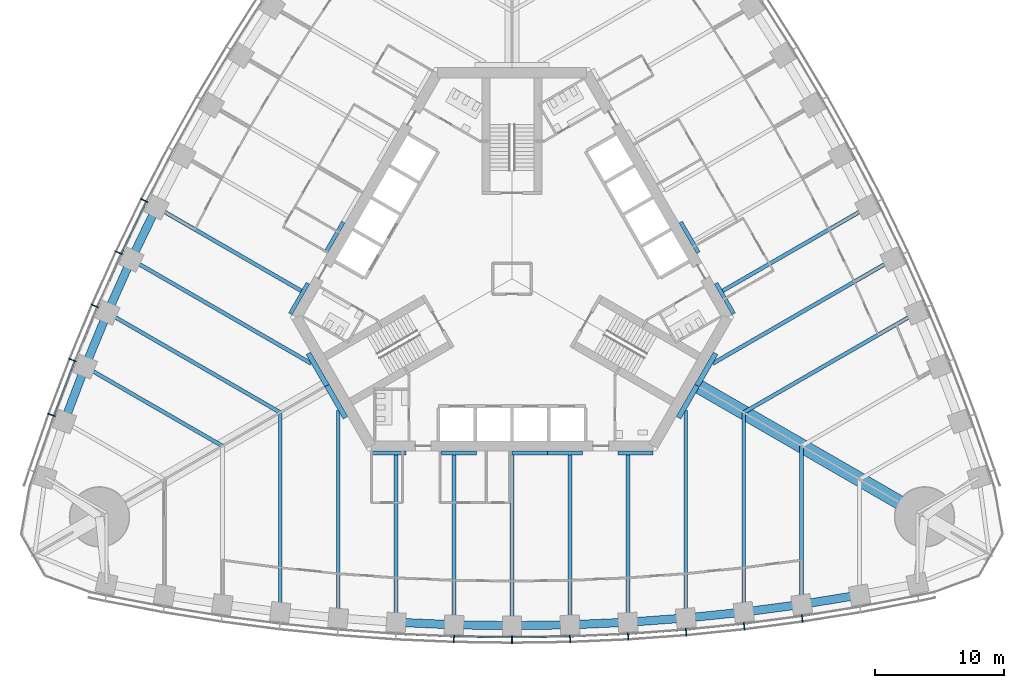
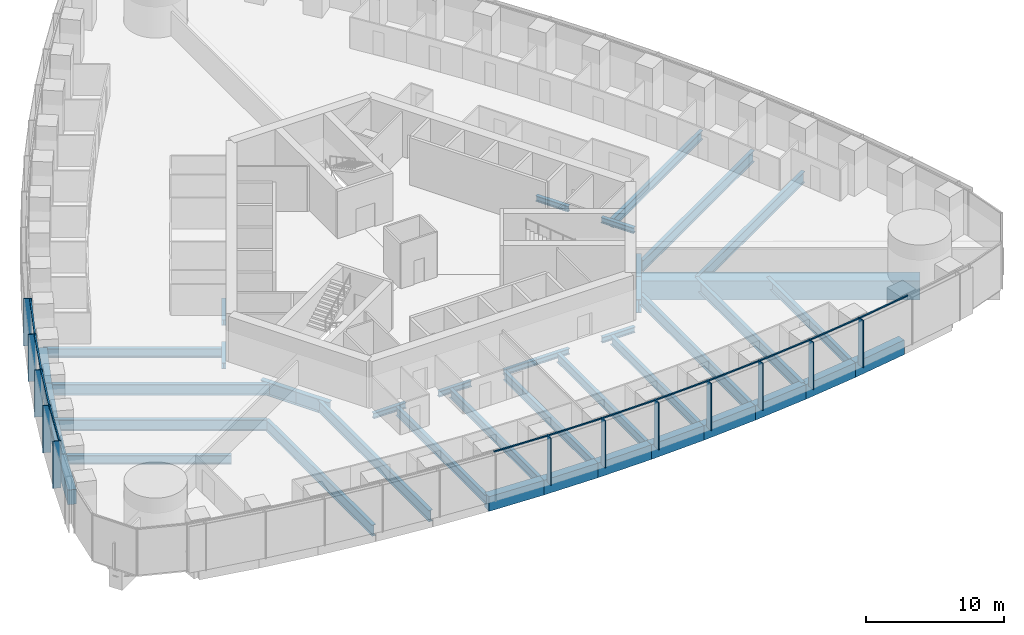
# One storey, part 3 of 19: 43 beams, 24 members, 2 elements without a shape of their own.
"""IFC4 building model written with IfcOpenShell, lengths in metres."""

from ifc_helpers import new_model, si_unit, direction, frame, origin, origin_2d, place, context, subcontext, project, spatial, rectangle, i_section, extrude, material, material_profile, profile_set, type_object, element, aggregate, save


model = new_model("IFC4")

# Units and contexts
model_context = context("Model", 3, precision=1e-05, world=origin(), true_north=direction((0.0, 1.0)))
body_context = subcontext(model_context, "Body", "Model", "MODEL_VIEW")
ifc_project = project(units=[si_unit("LENGTHUNIT", "METRE"), si_unit("AREAUNIT", "SQUARE_METRE"), si_unit("VOLUMEUNIT", "CUBIC_METRE"), si_unit("PLANEANGLEUNIT", "RADIAN"), si_unit("MASSUNIT", "GRAM", prefix="KILO")], contexts=[model_context])

# Site, building, storey
site_placement = place(None, origin())
site = spatial("IfcSite", under=ifc_project, at=site_placement, CompositionType="ELEMENT")
building_placement = place(site_placement, origin())
building = spatial("IfcBuilding", under=site, at=building_placement, Name="Trefoil Bronze Tower", CompositionType="ELEMENT")
storey_placement = place(building_placement, frame((0.0, 0.0, 16.5)))
storey = spatial("IfcBuildingStorey", under=building, at=storey_placement, Name="L03", CompositionType="ELEMENT", Elevation=16.5)

# Curtain wall, members
ifc_material_1 = material(Name="Tinted solar-control glass", Category="glass")
curtain_wall_type = type_object("IfcCurtainWallType", Name="Bronze office curtain wall", PredefinedType="USERDEFINED", material=ifc_material_1)
curtain_wall_1_placement = place(storey_placement, origin())
curtain_wall_1 = element("IfcCurtainWall", 1, at=curtain_wall_1_placement, inside=storey, type_object=curtain_wall_type, Name="CW-A L03 F1", ObjectType="CURTAIN WALL", PredefinedType="USERDEFINED")
ifc_material_2 = material(Name="Bronze-finish aluminium", Category="aluminium")
ifc_material_profile_1 = material_profile(ifc_material_2, rectangle(XDim=0.60009765625, YDim=0.080078125, at=origin_2d()), Name="CW-A mullion")
ifc_profile_set_1 = profile_set([ifc_material_profile_1], Name="Bronze-finish aluminium")
member_type_1 = type_object("IfcMemberType", Name="Bronze office curtain wall mullion", PredefinedType="MULLION", material=ifc_profile_set_1)
member_1_placement = place(storey_placement, frame((-4.5087890625, -27.9833984375, 0.0), z_axis=(0.0, 0.0, 1.0), x_axis=(0.029021671584, 0.999578782577, 0.0)))
member_1 = element("IfcMember", 2, at=member_1_placement, type_object=member_type_1, Name="CW-A L03 F1 mullion 8", PredefinedType="MULLION", context=body_context, shape_type="SweptSolid", body=[
    extrude(rectangle(XDim=0.60009765625, YDim=0.080078125, at=origin_2d()), origin(), (0.0, 0.0, 1.0), 4.179931640625),
])
member_2_placement = place(storey_placement, frame((0.0, -28.048828125, 0.0), z_axis=(0.0, 0.0, 1.0), x_axis=(0.0, 1.0, 0.0)))
member_2 = element("IfcMember", 3, at=member_2_placement, type_object=member_type_1, Name="CW-A L03 F1 mullion 9", PredefinedType="MULLION", context=body_context, shape_type="SweptSolid", body=[
    extrude(rectangle(XDim=0.60009765625, YDim=0.080078125, at=origin_2d()), origin(), (0.0, 0.0, 1.0), 4.179931640625),
])
member_3_placement = place(storey_placement, frame((4.5087890625, -27.9833984375, 0.0), z_axis=(0.0, 0.0, 1.0), x_axis=(-0.029021671584, 0.999578782577, 0.0)))
member_3 = element("IfcMember", 4, at=member_3_placement, type_object=member_type_1, Name="CW-A L03 F1 mullion 10", PredefinedType="MULLION", context=body_context, shape_type="SweptSolid", body=[
    extrude(rectangle(XDim=0.60009765625, YDim=0.080078125, at=origin_2d()), origin(), (0.0, 0.0, 1.0), 4.179931640625),
])
member_4_placement = place(storey_placement, frame((9.017333984375, -27.786865234375, 0.0), z_axis=(0.0, 0.0, 1.0), x_axis=(-0.058043374207, 0.998314062162, 0.0)))
member_4 = element("IfcMember", 5, at=member_4_placement, type_object=member_type_1, Name="CW-A L03 F1 mullion 11", PredefinedType="MULLION", context=body_context, shape_type="SweptSolid", body=[
    extrude(rectangle(XDim=0.60009765625, YDim=0.080078125, at=origin_2d()), origin(), (0.0, 0.0, 1.0), 4.179931640625),
])
member_5_placement = place(storey_placement, frame((13.526123046875, -27.458984375, 0.0), z_axis=(0.0, 0.0, 1.0), x_axis=(-0.087065139456, 0.996202620701, 0.0)))
member_5 = element("IfcMember", 6, at=member_5_placement, type_object=member_type_1, Name="CW-A L03 F1 mullion 12", PredefinedType="MULLION", context=body_context, shape_type="SweptSolid", body=[
    extrude(rectangle(XDim=0.60009765625, YDim=0.080078125, at=origin_2d()), origin(), (0.0, 0.0, 1.0), 4.179931640625),
])
member_6_placement = place(storey_placement, frame((18.034912109375, -26.99853515625, 0.0), z_axis=(0.0, 0.0, 1.0), x_axis=(-0.116086999973, 0.993239048989, 0.0)))
member_6 = element("IfcMember", 7, at=member_6_placement, type_object=member_type_1, Name="CW-A L03 F1 mullion 13", PredefinedType="MULLION", context=body_context, shape_type="SweptSolid", body=[
    extrude(rectangle(XDim=0.60009765625, YDim=0.080078125, at=origin_2d()), origin(), (0.0, 0.0, 1.0), 4.179931640625),
])
member_7_placement = place(storey_placement, frame((22.54345703125, -26.40478515625, 0.0), z_axis=(0.0, 0.0, 1.0), x_axis=(-0.145108990094, 0.989415676546, 0.0)))
member_7 = element("IfcMember", 8, at=member_7_placement, type_object=member_type_1, Name="CW-A L03 F1 mullion 14", PredefinedType="MULLION", context=body_context, shape_type="SweptSolid", body=[
    extrude(rectangle(XDim=0.60009765625, YDim=0.080078125, at=origin_2d()), origin(), (0.0, 0.0, 1.0), 4.179931640625),
])

curtain_wall_2_placement = place(storey_placement, origin())
curtain_wall_2 = element("IfcCurtainWall", 9, at=curtain_wall_2_placement, inside=storey, type_object=curtain_wall_type, Name="CW-A L03 F3", ObjectType="CURTAIN WALL", PredefinedType="USERDEFINED")
member_8_placement = place(storey_placement, frame((-28.57275390625, 6.084228515625, 0.0), z_axis=(0.0, 0.0, 1.0), x_axis=(0.893587025891, -0.448889994497, 0.0)))
member_8 = element("IfcMember", 10, at=member_8_placement, type_object=member_type_1, Name="CW-A L03 F3 mullion 11", PredefinedType="MULLION", context=body_context, shape_type="SweptSolid", body=[
    extrude(rectangle(XDim=0.60009765625, YDim=0.080078125, at=origin_2d()), origin(), (0.0, 0.0, 1.0), 4.179931640625),
])
member_9_placement = place(storey_placement, frame((-30.543212890625, 2.015380859375, 0.0), z_axis=(0.0, 0.0, 1.0), x_axis=(0.906269346572, -0.422700687798, 0.0)))
member_9 = element("IfcMember", 11, at=member_9_placement, type_object=member_type_1, Name="CW-A L03 F3 mullion 12", PredefinedType="MULLION", context=body_context, shape_type="SweptSolid", body=[
    extrude(rectangle(XDim=0.60009765625, YDim=0.080078125, at=origin_2d()), origin(), (0.0, 0.0, 1.0), 4.179931640625),
])
member_10_placement = place(storey_placement, frame((-32.39892578125, -2.119384765625, 0.0), z_axis=(0.0, 0.0, 1.0), x_axis=(0.918213748442, -0.396085233469, 0.0)))
member_10 = element("IfcMember", 12, at=member_10_placement, type_object=member_type_1, Name="CW-A L03 F3 mullion 13", PredefinedType="MULLION", context=body_context, shape_type="SweptSolid", body=[
    extrude(rectangle(XDim=0.60009765625, YDim=0.080078125, at=origin_2d()), origin(), (0.0, 0.0, 1.0), 4.179931640625),
])
member_11_placement = place(storey_placement, frame((-34.138916015625, -6.32080078125, 0.0), z_axis=(0.0, 0.0, 1.0), x_axis=(0.929413605838, -0.369039766534, 0.0)))
member_11 = element("IfcMember", 13, at=member_11_placement, type_object=member_type_1, Name="CW-A L03 F3 mullion 14", PredefinedType="MULLION", context=body_context, shape_type="SweptSolid", body=[
    extrude(rectangle(XDim=0.60009765625, YDim=0.080078125, at=origin_2d()), origin(), (0.0, 0.0, 1.0), 4.179931640625),
])
member_12_placement = place(storey_placement, frame((-35.761962890625, -10.590087890625, 0.0), z_axis=(0.0, 0.0, 1.0), x_axis=(0.939860248316, -0.341559238839, 0.0)))
member_12 = element("IfcMember", 14, at=member_12_placement, type_object=member_type_1, Name="CW-A L03 F3 mullion 15", PredefinedType="MULLION", context=body_context, shape_type="SweptSolid", body=[
    extrude(rectangle(XDim=0.60009765625, YDim=0.080078125, at=origin_2d()), origin(), (0.0, 0.0, 1.0), 4.179931640625),
])

# Member
ifc_material_3 = material(Name="Bronze-finish aluminium", Category="aluminium")
ifc_material_profile_2 = material_profile(ifc_material_3, rectangle(XDim=0.1201171875, YDim=0.10009765625, at=origin_2d()), Name="CW-A transom")
ifc_profile_set_2 = profile_set([ifc_material_profile_2], Name="Bronze-finish aluminium")
member_type_2 = type_object("IfcMemberType", Name="Bronze office curtain wall transom", PredefinedType="USERDEFINED", material=ifc_profile_set_2)
member_13_placement = place(storey_placement, frame((-8.96435546875, -27.589111328125, 4.1298828125), z_axis=(0.999054074786, -0.043485119914, 0.0), x_axis=(0.043485119914, 0.999054074786, 0.0)))
member_13 = element("IfcMember", 15, at=member_13_placement, type_object=member_type_2, Name="CW-A L03 F1 transom 7", ObjectType="TRANSOM", PredefinedType="USERDEFINED", context=body_context, shape_type="SweptSolid", body=[
    extrude(rectangle(XDim=0.1201171875, YDim=0.10009765625, at=origin_2d()), origin(), (0.0, 0.0, 1.0), 4.424072265625),
])

member_14_placement = place(storey_placement, frame((-4.46142578125, -27.783935546875, 4.1298828125), z_axis=(0.999894497273, -0.014525643658, 0.0), x_axis=(0.014525643658, 0.999894497273, 0.0)))
member_14 = element("IfcMember", 16, at=member_14_placement, type_object=member_type_2, Name="CW-A L03 F1 transom 8", ObjectType="TRANSOM", PredefinedType="USERDEFINED", context=body_context, shape_type="SweptSolid", body=[
    extrude(rectangle(XDim=0.1201171875, YDim=0.10009765625, at=origin_2d()), origin(), (0.0, 0.0, 1.0), 4.42041015625),
])

member_15_placement = place(storey_placement, frame((0.04150390625, -27.84814453125, 4.1298828125), z_axis=(0.999894497273, 0.014525643658, 0.0), x_axis=(-0.014525643658, 0.999894497273, 0.0)))
member_15 = element("IfcMember", 17, at=member_15_placement, type_object=member_type_2, Name="CW-A L03 F1 transom 9", ObjectType="TRANSOM", PredefinedType="USERDEFINED", context=body_context, shape_type="SweptSolid", body=[
    extrude(rectangle(XDim=0.1201171875, YDim=0.10009765625, at=origin_2d()), origin(), (0.0, 0.0, 1.0), 4.42041015625),
])

member_16_placement = place(storey_placement, frame((4.54443359375, -27.781494140625, 4.1298828125), z_axis=(0.999054074786, 0.043485119914, 0.0), x_axis=(-0.043485119914, 0.999054074786, 0.0)))
member_16 = element("IfcMember", 18, at=member_16_placement, type_object=member_type_2, Name="CW-A L03 F1 transom 10", ObjectType="TRANSOM", PredefinedType="USERDEFINED", context=body_context, shape_type="SweptSolid", body=[
    extrude(rectangle(XDim=0.1201171875, YDim=0.10009765625, at=origin_2d()), origin(), (0.0, 0.0, 1.0), 4.424072265625),
])

member_17_placement = place(storey_placement, frame((9.047119140625, -27.584228515625, 4.1298828125), z_axis=(0.997364729945, 0.07255064067, 0.0), x_axis=(-0.07255064067, 0.997364729945, 0.0)))
member_17 = element("IfcMember", 19, at=member_17_placement, type_object=member_type_2, Name="CW-A L03 F1 transom 11", ObjectType="TRANSOM", PredefinedType="USERDEFINED", context=body_context, shape_type="SweptSolid", body=[
    extrude(rectangle(XDim=0.1201171875, YDim=0.10009765625, at=origin_2d()), origin(), (0.0, 0.0, 1.0), 4.431884765625),
])

member_18_placement = place(storey_placement, frame((13.550048828125, -27.25537109375, 4.1298828125), z_axis=(0.994831650915, 0.101538102888, 0.0), x_axis=(-0.101538102888, 0.994831650915, 0.0)))
member_18 = element("IfcMember", 20, at=member_18_placement, type_object=member_type_2, Name="CW-A L03 F1 transom 12", ObjectType="TRANSOM", PredefinedType="USERDEFINED", context=body_context, shape_type="SweptSolid", body=[
    extrude(rectangle(XDim=0.1201171875, YDim=0.10009765625, at=origin_2d()), origin(), (0.0, 0.0, 1.0), 4.443359375),
])

member_19_placement = place(storey_placement, frame((18.052734375, -26.79443359375, 4.1298828125), z_axis=(0.991436581643, 0.13058906761, 0.0), x_axis=(-0.13058906761, 0.991436581643, 0.0)))
member_19 = element("IfcMember", 21, at=member_19_placement, type_object=member_type_2, Name="CW-A L03 F1 transom 13", ObjectType="TRANSOM", PredefinedType="USERDEFINED", context=body_context, shape_type="SweptSolid", body=[
    extrude(rectangle(XDim=0.1201171875, YDim=0.10009765625, at=origin_2d()), origin(), (0.0, 0.0, 1.0), 4.458740234375),
])

member_20_placement = place(storey_placement, frame((22.555419921875, -26.2001953125, 4.1298828125), z_axis=(0.987179401487, 0.159614627398, 0.0), x_axis=(-0.159614627398, 0.987179401487, 0.0)))
member_20 = element("IfcMember", 22, at=member_20_placement, type_object=member_type_2, Name="CW-A L03 F1 transom 14", ObjectType="TRANSOM", PredefinedType="USERDEFINED", context=body_context, shape_type="SweptSolid", body=[
    extrude(rectangle(XDim=0.1201171875, YDim=0.10009765625, at=origin_2d()), origin(), (0.0, 0.0, 1.0), 4.478515625),
])

aggregate(curtain_wall_1, [member_1, member_2, member_3, member_4, member_5, member_6, member_7, member_13, member_14, member_15, member_16, member_17, member_18, member_19, member_20])

member_21_placement = place(storey_placement, frame((-28.412109375, 5.95703125, 4.1298828125), z_axis=(-0.435851763293, -0.900018466719, 0.0), x_axis=(0.900018466719, -0.435851763293, 0.0)))
member_21 = element("IfcMember", 23, at=member_21_placement, type_object=member_type_2, Name="CW-A L03 F3 transom 11", ObjectType="TRANSOM", PredefinedType="USERDEFINED", context=body_context, shape_type="SweptSolid", body=[
    extrude(rectangle(XDim=0.1201171875, YDim=0.10009765625, at=origin_2d()), origin(), (0.0, 0.0, 1.0), 4.431884765625),
])

member_22_placement = place(storey_placement, frame((-30.37890625, 1.89306640625, 4.1298828125), z_axis=(-0.409459746452, -0.912328184392, 0.0), x_axis=(0.912328184392, -0.409459746452, 0.0)))
member_22 = element("IfcMember", 24, at=member_22_placement, type_object=member_type_2, Name="CW-A L03 F3 transom 12", ObjectType="TRANSOM", PredefinedType="USERDEFINED", context=body_context, shape_type="SweptSolid", body=[
    extrude(rectangle(XDim=0.1201171875, YDim=0.10009765625, at=origin_2d()), origin(), (0.0, 0.0, 1.0), 4.443359375),
])

member_23_placement = place(storey_placement, frame((-32.231201171875, -2.23681640625, 4.1298828125), z_axis=(-0.382616149417, -0.923907399151, 0.0), x_axis=(0.923907399151, -0.382616149417, 0.0)))
member_23 = element("IfcMember", 25, at=member_23_placement, type_object=member_type_2, Name="CW-A L03 F3 transom 13", ObjectType="TRANSOM", PredefinedType="USERDEFINED", context=body_context, shape_type="SweptSolid", body=[
    extrude(rectangle(XDim=0.1201171875, YDim=0.10009765625, at=origin_2d()), origin(), (0.0, 0.0, 1.0), 4.458984375),
])

member_24_placement = place(storey_placement, frame((-33.9677734375, -6.433349609375, 4.1298828125), z_axis=(-0.355367327392, -0.934726731522, 0.0), x_axis=(0.934726731522, -0.355367327392, 0.0)))
member_24 = element("IfcMember", 26, at=member_24_placement, type_object=member_type_2, Name="CW-A L03 F3 transom 14", ObjectType="TRANSOM", PredefinedType="USERDEFINED", context=body_context, shape_type="SweptSolid", body=[
    extrude(rectangle(XDim=0.1201171875, YDim=0.10009765625, at=origin_2d()), origin(), (0.0, 0.0, 1.0), 4.478515625),
])

aggregate(curtain_wall_2, [member_8, member_9, member_10, member_11, member_12, member_21, member_22, member_23, member_24])

# Beams
ifc_material_4 = material(Name="Steel C355", Category="steel")
ifc_material_profile_3 = material_profile(ifc_material_4, i_section(OverallWidth=0.300048828125, OverallDepth=0.5, WebThickness=0.014404296875, FlangeThickness=0.028076171875, FilletRadius=0.027099609375, at=origin_2d()), Name="HEB 500")
ifc_profile_set_3 = profile_set([ifc_material_profile_3], Name="Steel C355")
beam_type_1 = type_object("IfcBeamType", Name="Core seat beam HEB 500", PredefinedType="BEAM", material=ifc_profile_set_3)
for number, where, z_axis, x_axis, name in (
    (27, (-10.9697265625, -13.550048828125, -0.449951171875), (1.0, 0.0, 0.0), (0.0, 1.0, 0.0), "Core seat beam F1/-2 L03"),
    (28, (-5.48486328125, -13.550048828125, -0.449951171875), (1.0, 0.0, 0.0), (0.0, 1.0, 0.0), "Core seat beam F1/-1 L03"),
    (29, (0.0, -13.550048828125, -0.449951171875), (1.0, 0.0, 0.0), (0.0, 1.0, 0.0), "Core seat beam F1/+0 L03"),
    (30, (2.742431640625, -13.550048828125, -0.449951171875), (1.0, 0.0, 0.0), (0.0, 1.0, 0.0), "Core seat beam F1/+1 L03"),
    (31, (8.227294921875, -13.550048828125, -0.449951171875), (1.0, 0.0, 0.0), (0.0, 1.0, 0.0), "Core seat beam F1/+2 L03"),
    (32, (17.219482421875, -2.72509765625, -0.449951171875), (-0.500035825175, 0.866004719122, 0.0), (-0.866004719122, -0.500035825175, 0.0), "Core seat beam F2/-2 L03"),
    (33, (14.47705078125, 2.02490234375, -0.449951171875), (-0.499969057507, 0.866043267704, 0.0), (-0.866043267704, -0.499969057507, 0.0), "Core seat beam F2/-1 L03"),
    (34, (-13.10595703125, 4.39990234375, -0.449951171875), (-0.499969057507, -0.866043267704, 0.0), (0.866043267704, -0.499969057507, 0.0), "Core seat beam F3/+1 L03"),
    (35, (-15.84814453125, -0.35009765625, -0.449951171875), (-0.500035825175, -0.866004719122, 0.0), (0.866004719122, -0.500035825175, 0.0), "Core seat beam F3/+2 L03"),
):
    element("IfcBeam", number, at=place(storey_placement, frame(where, z_axis=z_axis, x_axis=x_axis)), inside=storey, type_object=beam_type_1, Name=name, PredefinedType="BEAM", context=body_context, shape_type="SweptSolid", body=[
        extrude(i_section(OverallWidth=0.300048828125, OverallDepth=0.5, WebThickness=0.014404296875, FlangeThickness=0.028076171875, FilletRadius=0.027099609375, at=origin_2d()), origin(), (0.0, 0.0, 1.0), 2.742431640625),
    ])
ifc_material_5 = material(Name="Steel C355", Category="steel")
ifc_material_profile_4 = material_profile(ifc_material_5, i_section(OverallWidth=0.39990234375, OverallDepth=1.199951171875, WebThickness=0.02001953125, FlangeThickness=0.0400390625, FilletRadius=0.010009765625, at=origin_2d()), Name="WPG 1200")
ifc_profile_set_4 = profile_set([ifc_material_profile_4], Name="Steel C355")
beam_type_2 = type_object("IfcBeamType", Name="Core seat beam WPG 1200", PredefinedType="BEAM", material=ifc_profile_set_4)
for number, where, z_axis, x_axis, name in (
    (36, (-14.3759765625, -8.300048828125, -0.800048828125), (0.499995765644, -0.866027848477, 0.0), (0.866027848477, 0.499995765644, 0.0), "Core seat beam F1/-3 L03"),
    (37, (12.9326171875, -10.800048828125, -0.800048828125), (0.499995765644, 0.866027848477, 0.0), (-0.866027848477, 0.499995765644, 0.0), "Core seat beam F1/+3 L03"),
    (38, (14.3759765625, -8.300048828125, -0.800048828125), (0.499995765644, 0.866027848477, 0.0), (-0.866027848477, 0.499995765644, 0.0), "Core seat beam F2/-3 L03"),
    (39, (-15.8193359375, -5.800048828125, -0.800048828125), (0.499995765644, -0.866027848477, 0.0), (0.866027848477, 0.499995765644, 0.0), "Core seat beam F3/+3 L03"),
):
    element("IfcBeam", number, at=place(storey_placement, frame(where, z_axis=z_axis, x_axis=x_axis)), inside=storey, type_object=beam_type_2, Name=name, PredefinedType="BEAM", context=body_context, shape_type="SweptSolid", body=[
        extrude(i_section(OverallWidth=0.39990234375, OverallDepth=1.199951171875, WebThickness=0.02001953125, FlangeThickness=0.0400390625, FilletRadius=0.010009765625, at=origin_2d()), origin(), (0.0, 0.0, 1.0), 2.88671875),
    ])
ifc_material_6 = material(Name="Concrete B80", Category="concrete")
ifc_material_profile_5 = material_profile(ifc_material_6, rectangle(XDim=1.10009765625, YDim=1.699951171875, at=origin_2d()), Name="RC 1100x1700")
ifc_profile_set_5 = profile_set([ifc_material_profile_5], Name="Concrete B80")
beam_type_3 = type_object("IfcBeamType", Name="Corner girder RC 1100x1700", PredefinedType="BEAM", material=ifc_profile_set_5)
beam_1_placement = place(storey_placement, frame((14.202880859375, -8.199951171875, -1.050048828125), z_axis=(0.866023947468, -0.500002522405, 0.0), x_axis=(0.500002522405, 0.866023947468, 0.0)))
element("IfcBeam", 40, at=beam_1_placement, inside=storey, type_object=beam_type_3, Name="Corner girder K1 L03", PredefinedType="BEAM", context=body_context, shape_type="SweptSolid", body=[
    extrude(rectangle(XDim=1.10009765625, YDim=1.699951171875, at=origin_2d()), origin(), (0.0, 0.0, 1.0), 20.60009765625),
])
ifc_material_7 = material(Name="Steel C355", Category="steel")
ifc_material_profile_6 = material_profile(ifc_material_7, i_section(OverallWidth=0.300048828125, OverallDepth=1.0, WebThickness=0.01904296875, FlangeThickness=0.035888671875, FilletRadius=0.030029296875, at=origin_2d()), Name="HEB 1000")
ifc_profile_set_6 = profile_set([ifc_material_profile_6], Name="Steel C355")
beam_type_4 = type_object("IfcBeamType", Name="Floor beam HEB 1000", PredefinedType="BEAM", material=ifc_profile_set_6)
for number, where, z_axis, x_axis, name in (
    (41, (-18.0, -25.895263671875, -0.699951171875), (0.0, 1.0, 0.0), (-1.0, 0.0, 0.0), "Floor beam F1/-4 L03"),
    (42, (18.0, -25.895263671875, -0.699951171875), (0.0, 1.0, 0.0), (-1.0, 0.0, 0.0), "Floor beam F1/+4 L03"),
):
    element("IfcBeam", number, at=place(storey_placement, frame(where, z_axis=z_axis, x_axis=x_axis)), inside=storey, type_object=beam_type_4, Name=name, PredefinedType="BEAM", context=body_context, shape_type="SweptSolid", body=[
        extrude(i_section(OverallWidth=0.300048828125, OverallDepth=1.0, WebThickness=0.01904296875, FlangeThickness=0.035888671875, FilletRadius=0.030029296875, at=origin_2d()), origin(), (0.0, 0.0, 1.0), 15.5029296875),
    ])
for number, where, z_axis, x_axis, name in (
    (43, (31.42578125, -2.640869140625, -0.699951171875), (-0.866022989816, -0.500004181093, 0.0), (0.500004181093, -0.866022989816, 0.0), "Floor beam F2/-4 L03"),
    (44, (-31.42578125, -2.640869140625, -0.699951171875), (0.866022989816, -0.500004181093, 0.0), (0.500004181093, 0.866022989816, 0.0), "Floor beam F3/+4 L03"),
):
    element("IfcBeam", number, at=place(storey_placement, frame(where, z_axis=z_axis, x_axis=x_axis)), inside=storey, type_object=beam_type_4, Name=name, PredefinedType="BEAM", context=body_context, shape_type="SweptSolid", body=[
        extrude(i_section(OverallWidth=0.300048828125, OverallDepth=1.0, WebThickness=0.01904296875, FlangeThickness=0.035888671875, FilletRadius=0.030029296875, at=origin_2d()), origin(), (0.0, 0.0, 1.0), 15.502685546875),
    ])
ifc_material_8 = material(Name="Steel C355", Category="steel")
ifc_material_profile_7 = material_profile(ifc_material_8, i_section(OverallWidth=0.300048828125, OverallDepth=0.800048828125, WebThickness=0.017578125, FlangeThickness=0.032958984375, FilletRadius=0.030029296875, at=origin_2d()), Name="HEB 800")
ifc_profile_set_7 = profile_set([ifc_material_profile_7], Name="Steel C355")
beam_type_5 = type_object("IfcBeamType", Name="Floor beam HEB 800", PredefinedType="BEAM", material=ifc_profile_set_7)
beam_2_placement = place(storey_placement, frame((-9.0, -26.68603515625, -0.60009765625), z_axis=(0.0, 1.0, 0.0), x_axis=(-1.0, 0.0, 0.0)))
element("IfcBeam", 45, at=beam_2_placement, inside=storey, type_object=beam_type_5, Name="Floor beam F1/-2 L03", PredefinedType="BEAM", context=body_context, shape_type="SweptSolid", body=[
    extrude(i_section(OverallWidth=0.300048828125, OverallDepth=0.800048828125, WebThickness=0.017578125, FlangeThickness=0.032958984375, FilletRadius=0.030029296875, at=origin_2d()), origin(), (0.0, 0.0, 1.0), 12.986083984375),
])
beam_3_placement = place(storey_placement, frame((-4.5, -26.883056640625, -0.60009765625), z_axis=(0.0, 1.0, 0.0), x_axis=(-1.0, 0.0, 0.0)))
element("IfcBeam", 46, at=beam_3_placement, inside=storey, type_object=beam_type_5, Name="Floor beam F1/-1 L03", PredefinedType="BEAM", context=body_context, shape_type="SweptSolid", body=[
    extrude(i_section(OverallWidth=0.300048828125, OverallDepth=0.800048828125, WebThickness=0.017578125, FlangeThickness=0.032958984375, FilletRadius=0.030029296875, at=origin_2d()), origin(), (0.0, 0.0, 1.0), 13.18310546875),
])
beam_4_placement = place(storey_placement, frame((0.0, -26.94873046875, -0.60009765625), z_axis=(0.0, 1.0, 0.0), x_axis=(-1.0, 0.0, 0.0)))
element("IfcBeam", 47, at=beam_4_placement, inside=storey, type_object=beam_type_5, Name="Floor beam F1/+0 L03", PredefinedType="BEAM", context=body_context, shape_type="SweptSolid", body=[
    extrude(i_section(OverallWidth=0.300048828125, OverallDepth=0.800048828125, WebThickness=0.017578125, FlangeThickness=0.032958984375, FilletRadius=0.030029296875, at=origin_2d()), origin(), (0.0, 0.0, 1.0), 13.248779296875),
])
beam_5_placement = place(storey_placement, frame((4.5, -26.883056640625, -0.60009765625), z_axis=(0.0, 1.0, 0.0), x_axis=(-1.0, 0.0, 0.0)))
element("IfcBeam", 48, at=beam_5_placement, inside=storey, type_object=beam_type_5, Name="Floor beam F1/+1 L03", PredefinedType="BEAM", context=body_context, shape_type="SweptSolid", body=[
    extrude(i_section(OverallWidth=0.300048828125, OverallDepth=0.800048828125, WebThickness=0.017578125, FlangeThickness=0.032958984375, FilletRadius=0.030029296875, at=origin_2d()), origin(), (0.0, 0.0, 1.0), 13.18310546875),
])
beam_6_placement = place(storey_placement, frame((9.0, -26.68603515625, -0.60009765625), z_axis=(0.0, 1.0, 0.0), x_axis=(-1.0, 0.0, 0.0)))
element("IfcBeam", 49, at=beam_6_placement, inside=storey, type_object=beam_type_5, Name="Floor beam F1/+2 L03", PredefinedType="BEAM", context=body_context, shape_type="SweptSolid", body=[
    extrude(i_section(OverallWidth=0.300048828125, OverallDepth=0.800048828125, WebThickness=0.017578125, FlangeThickness=0.032958984375, FilletRadius=0.030029296875, at=origin_2d()), origin(), (0.0, 0.0, 1.0), 12.986083984375),
])
beam_7_placement = place(storey_placement, frame((22.5, -25.29931640625, -0.60009765625), z_axis=(0.0, 1.0, 0.0), x_axis=(-1.0, 0.0, 0.0)))
element("IfcBeam", 50, at=beam_7_placement, inside=storey, type_object=beam_type_5, Name="Floor beam F1/+5 L03", PredefinedType="BEAM", context=body_context, shape_type="SweptSolid", body=[
    extrude(i_section(OverallWidth=0.300048828125, OverallDepth=0.800048828125, WebThickness=0.017578125, FlangeThickness=0.032958984375, FilletRadius=0.030029296875, at=origin_2d()), origin(), (0.0, 0.0, 1.0), 12.308837890625),
])
for number, where, z_axis, x_axis, name in (
    (51, (27.61083984375, 5.548828125, -0.60009765625), (-0.866022474361, -0.500005073876, 0.0), (0.500005073876, -0.866022474361, 0.0), "Floor beam F2/-2 L03"),
    (52, (-27.61083984375, 5.548828125, -0.60009765625), (0.866022474361, -0.500005073876, 0.0), (0.500005073876, 0.866022474361, 0.0), "Floor beam F3/+2 L03"),
):
    element("IfcBeam", number, at=place(storey_placement, frame(where, z_axis=z_axis, x_axis=x_axis)), inside=storey, type_object=beam_type_5, Name=name, PredefinedType="BEAM", context=body_context, shape_type="SweptSolid", body=[
        extrude(i_section(OverallWidth=0.300048828125, OverallDepth=0.800048828125, WebThickness=0.017578125, FlangeThickness=0.032958984375, FilletRadius=0.030029296875, at=origin_2d()), origin(), (0.0, 0.0, 1.0), 12.986083984375),
    ])
beam_8_placement = place(storey_placement, frame((-33.159912109375, -6.8359375, -0.60009765625), z_axis=(0.866024070878, -0.500002308654, 0.0), x_axis=(0.500002308654, 0.866024070878, 0.0)))
element("IfcBeam", 53, at=beam_8_placement, inside=storey, type_object=beam_type_5, Name="Floor beam F3/+5 L03", PredefinedType="BEAM", context=body_context, shape_type="SweptSolid", body=[
    extrude(i_section(OverallWidth=0.300048828125, OverallDepth=0.800048828125, WebThickness=0.017578125, FlangeThickness=0.032958984375, FilletRadius=0.030029296875, at=origin_2d()), origin(), (0.0, 0.0, 1.0), 12.30908203125),
])
ifc_material_9 = material(Name="Steel C355", Category="steel")
ifc_material_profile_8 = material_profile(ifc_material_9, i_section(OverallWidth=0.302001953125, OverallDepth=1.008056640625, WebThickness=0.02099609375, FlangeThickness=0.0400390625, FilletRadius=0.030029296875, at=origin_2d()), Name="HEM 1000")
ifc_profile_set_8 = profile_set([ifc_material_profile_8], Name="Steel C355")
beam_type_6 = type_object("IfcBeamType", Name="Floor beam HEM 1000", PredefinedType="BEAM", material=ifc_profile_set_8)
for number, where, z_axis, x_axis, name in (
    (54, (-13.5, -26.35693359375, -0.7041015625), (0.0, 1.0, 0.0), (-1.0, 0.0, 0.0), "Floor beam F1/-3 L03"),
    (55, (13.5, -26.35693359375, -0.7041015625), (0.0, 1.0, 0.0), (-1.0, 0.0, 0.0), "Floor beam F1/+3 L03"),
):
    element("IfcBeam", number, at=place(storey_placement, frame(where, z_axis=z_axis, x_axis=x_axis)), inside=storey, type_object=beam_type_6, Name=name, PredefinedType="BEAM", context=body_context, shape_type="SweptSolid", body=[
        extrude(i_section(OverallWidth=0.302001953125, OverallDepth=1.008056640625, WebThickness=0.02099609375, FlangeThickness=0.0400390625, FilletRadius=0.030029296875, at=origin_2d()), origin(), (0.0, 0.0, 1.0), 16.1396484375),
    ])
for number, where, z_axis, x_axis, name in (
    (56, (29.575927734375, 1.487060546875, -0.7041015625), (-0.866028401131, -0.499994808408, 0.0), (0.499994808408, -0.866028401131, 0.0), "Floor beam F2/-3 L03"),
    (57, (-29.575927734375, 1.487060546875, -0.7041015625), (0.866028401131, -0.499994808408, 0.0), (0.499994808408, 0.866028401131, 0.0), "Floor beam F3/+3 L03"),
):
    element("IfcBeam", number, at=place(storey_placement, frame(where, z_axis=z_axis, x_axis=x_axis)), inside=storey, type_object=beam_type_6, Name=name, PredefinedType="BEAM", context=body_context, shape_type="SweptSolid", body=[
        extrude(i_section(OverallWidth=0.302001953125, OverallDepth=1.008056640625, WebThickness=0.02099609375, FlangeThickness=0.0400390625, FilletRadius=0.030029296875, at=origin_2d()), origin(), (0.0, 0.0, 1.0), 16.139892578125),
    ])
ifc_material_10 = material(Name="Concrete B80", Category="concrete")
ifc_material_profile_9 = material_profile(ifc_material_10, rectangle(XDim=0.64990234375, YDim=1.300048828125, at=origin_2d()), Name="RC 650x1300")
ifc_profile_set_9 = profile_set([ifc_material_profile_9], Name="Concrete B80")
beam_type_7 = type_object("IfcBeamType", Name="Spandrel beam RC 650x1300", PredefinedType="SPANDREL", material=ifc_profile_set_9)
beam_9_placement = place(storey_placement, frame((-9.0, -26.68603515625, -0.85009765625), z_axis=(0.999042919826, -0.043740648671, 0.0), x_axis=(0.043740648671, 0.999042919826, 0.0)))
element("IfcBeam", 58, at=beam_9_placement, inside=storey, type_object=beam_type_7, Name="Spandrel F1.7 L03", PredefinedType="SPANDREL", context=body_context, shape_type="SweptSolid", body=[
    extrude(rectangle(XDim=0.64990234375, YDim=1.300048828125, at=origin_2d()), origin(), (0.0, 0.0, 1.0), 4.50439453125),
])
for number, where, z_axis, x_axis, name in (
    (59, (-4.5, -26.883056640625, -0.85009765625), (0.999893521905, -0.014592630067, 0.0), (0.014592630067, 0.999893521905, 0.0), "Spandrel F1.8 L03"),
    (60, (0.0, -26.94873046875, -0.85009765625), (0.999893521905, 0.014592630067, 0.0), (-0.014592630067, 0.999893521905, 0.0), "Spandrel F1.9 L03"),
):
    element("IfcBeam", number, at=place(storey_placement, frame(where, z_axis=z_axis, x_axis=x_axis)), inside=storey, type_object=beam_type_7, Name=name, PredefinedType="SPANDREL", context=body_context, shape_type="SweptSolid", body=[
        extrude(rectangle(XDim=0.64990234375, YDim=1.300048828125, at=origin_2d()), origin(), (0.0, 0.0, 1.0), 4.50048828125),
    ])
beam_10_placement = place(storey_placement, frame((4.5, -26.883056640625, -0.85009765625), z_axis=(0.999042919826, 0.043740648671, 0.0), x_axis=(-0.043740648671, 0.999042919826, 0.0)))
element("IfcBeam", 61, at=beam_10_placement, inside=storey, type_object=beam_type_7, Name="Spandrel F1.10 L03", PredefinedType="SPANDREL", context=body_context, shape_type="SweptSolid", body=[
    extrude(rectangle(XDim=0.64990234375, YDim=1.300048828125, at=origin_2d()), origin(), (0.0, 0.0, 1.0), 4.50439453125),
])
beam_11_placement = place(storey_placement, frame((9.0, -26.68603515625, -0.85009765625), z_axis=(0.997336412354, 0.072938882588, 0.0), x_axis=(-0.072938882588, 0.997336412354, 0.0)))
element("IfcBeam", 62, at=beam_11_placement, inside=storey, type_object=beam_type_7, Name="Spandrel F1.11 L03", PredefinedType="SPANDREL", context=body_context, shape_type="SweptSolid", body=[
    extrude(rectangle(XDim=0.64990234375, YDim=1.300048828125, at=origin_2d()), origin(), (0.0, 0.0, 1.0), 4.511962890625),
])
beam_12_placement = place(storey_placement, frame((13.5, -26.35693359375, -0.85009765625), z_axis=(0.994778488621, 0.102057623805, 0.0), x_axis=(-0.102057623805, 0.994778488621, 0.0)))
element("IfcBeam", 63, at=beam_12_placement, inside=storey, type_object=beam_type_7, Name="Spandrel F1.12 L03", PredefinedType="SPANDREL", context=body_context, shape_type="SweptSolid", body=[
    extrude(rectangle(XDim=0.64990234375, YDim=1.300048828125, at=origin_2d()), origin(), (0.0, 0.0, 1.0), 4.523681640625),
])
beam_13_placement = place(storey_placement, frame((18.0, -25.895263671875, -0.85009765625), z_axis=(0.991344474846, 0.131286450906, 0.0), x_axis=(-0.131286450906, 0.991344474846, 0.0)))
element("IfcBeam", 64, at=beam_13_placement, inside=storey, type_object=beam_type_7, Name="Spandrel F1.13 L03", PredefinedType="SPANDREL", context=body_context, shape_type="SweptSolid", body=[
    extrude(rectangle(XDim=0.64990234375, YDim=1.300048828125, at=origin_2d()), origin(), (0.0, 0.0, 1.0), 4.539306640625),
])
beam_14_placement = place(storey_placement, frame((22.5, -25.29931640625, -0.85009765625), z_axis=(0.987045951254, 0.160437807615, 0.0), x_axis=(-0.160437807615, 0.987045951254, 0.0)))
element("IfcBeam", 65, at=beam_14_placement, inside=storey, type_object=beam_type_7, Name="Spandrel F1.14 L03", PredefinedType="SPANDREL", context=body_context, shape_type="SweptSolid", body=[
    extrude(rectangle(XDim=0.64990234375, YDim=1.300048828125, at=origin_2d()), origin(), (0.0, 0.0, 1.0), 4.55908203125),
])
beam_15_placement = place(storey_placement, frame((-27.61083984375, 5.548828125, -0.85009765625), z_axis=(-0.435510013583, -0.900183885697, 0.0), x_axis=(0.900183885697, -0.435510013583, 0.0)))
element("IfcBeam", 66, at=beam_15_placement, inside=storey, type_object=beam_type_7, Name="Spandrel F3.11 L03", PredefinedType="SPANDREL", context=body_context, shape_type="SweptSolid", body=[
    extrude(rectangle(XDim=0.64990234375, YDim=1.300048828125, at=origin_2d()), origin(), (0.0, 0.0, 1.0), 4.51220703125),
])
beam_16_placement = place(storey_placement, frame((-29.575927734375, 1.487060546875, -0.85009765625), z_axis=(-0.408945873044, -0.912558640812, 0.0), x_axis=(0.912558640812, -0.408945873044, 0.0)))
element("IfcBeam", 67, at=beam_16_placement, inside=storey, type_object=beam_type_7, Name="Spandrel F3.12 L03", PredefinedType="SPANDREL", context=body_context, shape_type="SweptSolid", body=[
    extrude(rectangle(XDim=0.64990234375, YDim=1.300048828125, at=origin_2d()), origin(), (0.0, 0.0, 1.0), 4.5234375),
])
beam_17_placement = place(storey_placement, frame((-31.42578125, -2.640869140625, -0.85009765625), z_axis=(-0.382020825144, -0.924153715113, 0.0), x_axis=(0.924153715113, -0.382020825144, 0.0)))
element("IfcBeam", 68, at=beam_17_placement, inside=storey, type_object=beam_type_7, Name="Spandrel F3.13 L03", PredefinedType="SPANDREL", context=body_context, shape_type="SweptSolid", body=[
    extrude(rectangle(XDim=0.64990234375, YDim=1.300048828125, at=origin_2d()), origin(), (0.0, 0.0, 1.0), 4.539306640625),
])
beam_18_placement = place(storey_placement, frame((-33.159912109375, -6.8359375, -0.85009765625), z_axis=(-0.354571899767, -0.935028752443, 0.0), x_axis=(0.935028752443, -0.354571899767, 0.0)))
element("IfcBeam", 69, at=beam_18_placement, inside=storey, type_object=beam_type_7, Name="Spandrel F3.14 L03", PredefinedType="SPANDREL", context=body_context, shape_type="SweptSolid", body=[
    extrude(rectangle(XDim=0.64990234375, YDim=1.300048828125, at=origin_2d()), origin(), (0.0, 0.0, 1.0), 4.558837890625),
])

save(model, "model.ifc")
